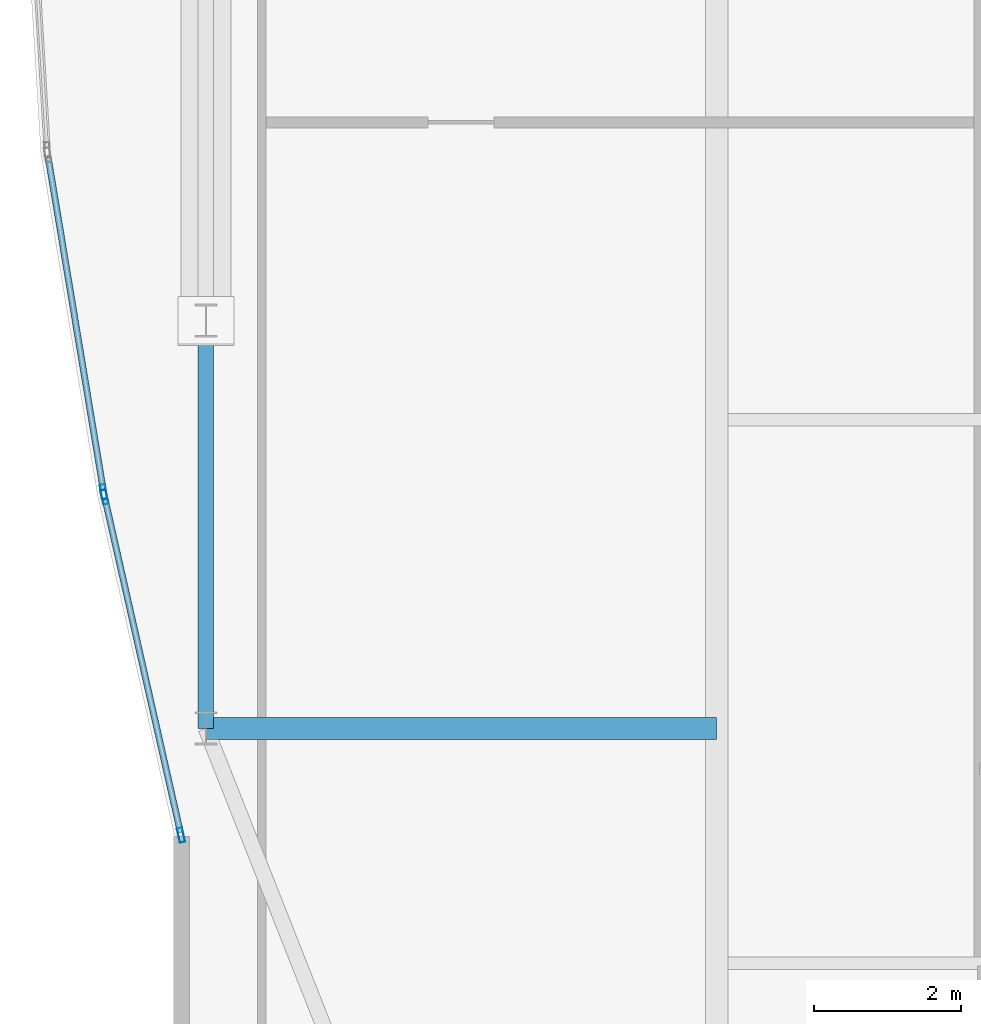
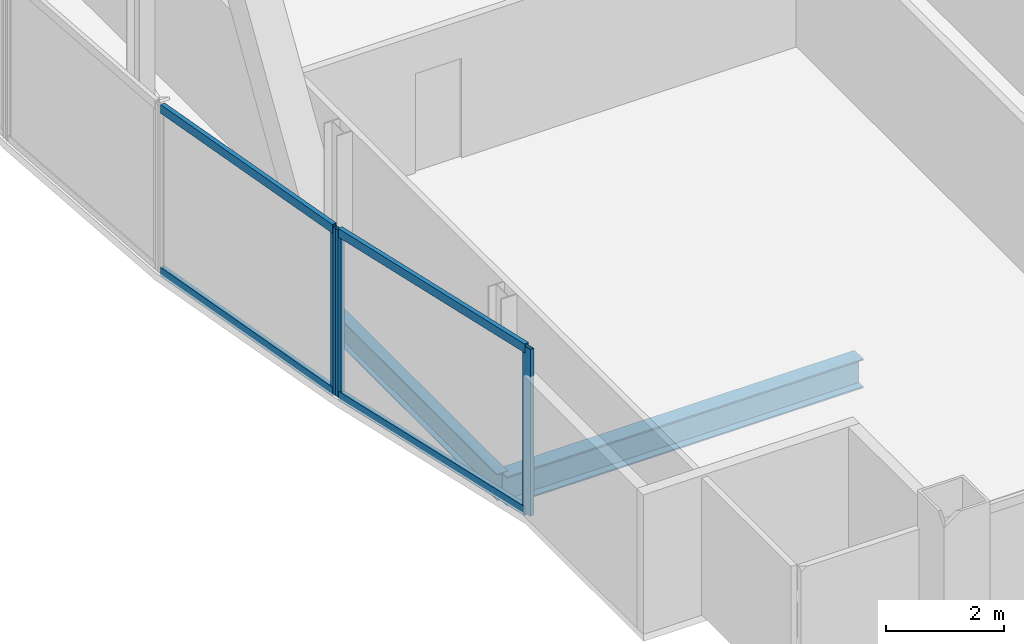
# One storey, part 5 of 31: 7 members, 2 beams, 2 elements without a shape of their own.
"""IFC4 building model written with IfcOpenShell, lengths in metres."""

from ifc_helpers import new_model, si_unit, direction, frame, origin, origin_2d, place, context, subcontext, project, spatial, hollow_rectangle, i_section, extrude, material, material_profile, profile_set, type_object, element, aggregate, save


model = new_model("IFC4")

# Units and contexts
model_context = context("Model", 3, precision=1e-05, world=origin(), true_north=direction((0.0, 1.0)))
body_context = subcontext(model_context, "Body", "Model", "MODEL_VIEW")
ifc_project = project(units=[si_unit("LENGTHUNIT", "METRE"), si_unit("AREAUNIT", "SQUARE_METRE"), si_unit("VOLUMEUNIT", "CUBIC_METRE"), si_unit("PLANEANGLEUNIT", "RADIAN"), si_unit("MASSUNIT", "GRAM", prefix="KILO")], contexts=[model_context])

# Site, building, storey
site_placement = place(None, origin())
site = spatial("IfcSite", under=ifc_project, at=site_placement, CompositionType="ELEMENT")
building_placement = place(site_placement, origin())
building = spatial("IfcBuilding", under=site, at=building_placement, Name="Khoronbel Lancet Exchange", CompositionType="ELEMENT")
storey_placement = place(building_placement, frame((0.0, 0.0, 325.39990234375)))
storey = spatial("IfcBuildingStorey", under=building, at=storey_placement, Name="L84", CompositionType="ELEMENT", Elevation=325.39990234375)

# Beams
ifc_material_1 = material(Name="Steel S355", Category="steel")
ifc_material_profile_1 = material_profile(ifc_material_1, i_section(OverallWidth=0.300048828125, OverallDepth=0.60009765625, WebThickness=0.015380859375, FlangeThickness=0.030029296875, at=origin_2d()), Name="HEB 600")
ifc_profile_set_1 = profile_set([ifc_material_profile_1], Name="Steel S355")
beam_type_1 = type_object("IfcBeamType", Name="BM-BG5", PredefinedType="BEAM", material=ifc_profile_set_1)
beam_1_placement = place(storey_placement, frame((11.27001953125, 19.199951171875, -0.4599609375), z_axis=(1.0, 0.0, 0.0), x_axis=(0.0, 1.0, 0.0)))
element("IfcBeam", 1, at=beam_1_placement, inside=storey, type_object=beam_type_1, Name="Level L84 west lens tie girder LG1W", PredefinedType="BEAM", context=body_context, shape_type="SweptSolid", body=[
    extrude(i_section(OverallWidth=0.300048828125, OverallDepth=0.60009765625, WebThickness=0.015380859375, FlangeThickness=0.030029296875, at=origin_2d()), origin(), (0.0, 0.0, 1.0), 6.955078125),
])
ifc_material_profile_2 = material_profile(ifc_material_1, i_section(OverallWidth=0.2099609375, OverallDepth=0.550048828125, WebThickness=0.010986328125, FlangeThickness=0.01708984375, at=origin_2d()), Name="IPE 550")
ifc_profile_set_2 = profile_set([ifc_material_profile_2], Name="Steel S355")
beam_type_2 = type_object("IfcBeamType", Name="BM-BSP3", PredefinedType="SPANDREL", material=ifc_profile_set_2)
beam_2_placement = place(storey_placement, frame((11.27001953125, 24.75, -0.434814453125), z_axis=(0.0, -1.0, 0.0), x_axis=(1.0, 0.0, 0.0)))
element("IfcBeam", 2, at=beam_2_placement, inside=storey, type_object=beam_type_2, Name="Level L84 perimeter spandrel beam SP18", PredefinedType="SPANDREL", context=body_context, shape_type="SweptSolid", body=[
    extrude(i_section(OverallWidth=0.2099609375, OverallDepth=0.550048828125, WebThickness=0.010986328125, FlangeThickness=0.01708984375, at=origin_2d()), origin(), (0.0, 0.0, 1.0), 5.550048828125),
])

# Curtain wall, members
ifc_material_2 = material(Name="Low-E Solar Control Insulating Glass", Category="glass")
curtain_wall_type = type_object("IfcCurtainWallType", Name="CW-4", PredefinedType="NOTDEFINED", material=ifc_material_2)
curtain_wall_1_placement = place(storey_placement, origin())
curtain_wall_1 = element("IfcCurtainWall", 3, at=curtain_wall_1_placement, inside=storey, type_object=curtain_wall_type, Name="Unitised curtain wall CW-L84-E04", PredefinedType="NOTDEFINED")
ifc_material_3 = material(Name="Bronze-Anodised Aluminium 6063-T6", Category="aluminium")
ifc_material_profile_3 = material_profile(ifc_material_3, hollow_rectangle(XDim=0.074951171875, YDim=0.199951171875, WallThickness=0.0048828125, at=origin_2d()), Name="ALU MULLION 75x200")
ifc_profile_set_3 = profile_set([ifc_material_profile_3], Name="Bronze-Anodised Aluminium 6063-T6")
member_type_1 = type_object("IfcMemberType", Name="MEM-CWM2", PredefinedType="MULLION", material=ifc_profile_set_3)
member_1_placement = place(storey_placement, frame((10.931640625, 17.74658203125, 0.0), z_axis=(0.0, 0.0, 1.0), x_axis=(-0.975369067716, -0.220579196078, 0.0)))
member_1 = element("IfcMember", 4, at=member_1_placement, type_object=member_type_1, Name="CW4 mullion 1", PredefinedType="MULLION", context=body_context, shape_type="SweptSolid", body=[
    extrude(hollow_rectangle(XDim=0.074951171875, YDim=0.199951171875, WallThickness=0.0048828125, at=origin_2d()), origin(), (0.0, 0.0, 1.0), 3.440185546875),
])
member_2_placement = place(storey_placement, frame((9.891357421875, 22.347412109375, 0.0), z_axis=(0.0, 0.0, 1.0), x_axis=(-0.975369067716, -0.220579196078, 0.0)))
member_2 = element("IfcMember", 5, at=member_2_placement, type_object=member_type_1, Name="CW4 mullion 2", PredefinedType="MULLION", context=body_context, shape_type="SweptSolid", body=[
    extrude(hollow_rectangle(XDim=0.074951171875, YDim=0.199951171875, WallThickness=0.0048828125, at=origin_2d()), origin(), (0.0, 0.0, 1.0), 3.440185546875),
])

# Curtain wall, member
curtain_wall_2_placement = place(storey_placement, origin())
curtain_wall_2 = element("IfcCurtainWall", 6, at=curtain_wall_2_placement, inside=storey, type_object=curtain_wall_type, Name="Unitised curtain wall CW-L84-E05", PredefinedType="NOTDEFINED")
member_3_placement = place(storey_placement, frame((9.876953125, 22.4208984375, 0.0), z_axis=(0.0, 0.0, 1.0), x_axis=(-0.98657075141, -0.163334480321, 0.0)))
member_3 = element("IfcMember", 7, at=member_3_placement, type_object=member_type_1, Name="CW4 mullion 1", PredefinedType="MULLION", context=body_context, shape_type="SweptSolid", body=[
    extrude(hollow_rectangle(XDim=0.074951171875, YDim=0.199951171875, WallThickness=0.0048828125, at=origin_2d()), origin(), (0.0, 0.0, 1.0), 3.440185546875),
])

# Member
ifc_material_profile_4 = material_profile(ifc_material_3, hollow_rectangle(XDim=0.0849609375, YDim=0.179931640625, WallThickness=0.0048828125, at=origin_2d()), Name="ALU TRANSOM 85x180")
ifc_profile_set_4 = profile_set([ifc_material_profile_4], Name="Bronze-Anodised Aluminium 6063-T6")
member_type_2 = type_object("IfcMemberType", Name="MEM-CWT1", PredefinedType="USERDEFINED", material=ifc_profile_set_4)
member_4_placement = place(storey_placement, frame((10.92333984375, 17.783203125, 0.04248046875), z_axis=(-0.220532067169, 0.975379724697, 0.0), x_axis=(-0.975379724697, -0.220532067169, 0.0)))
member_4 = element("IfcMember", 8, at=member_4_placement, type_object=member_type_2, Name="CW4 transom 1.1", ObjectType="TRANSOM", PredefinedType="USERDEFINED", context=body_context, shape_type="SweptSolid", body=[
    extrude(hollow_rectangle(XDim=0.0849609375, YDim=0.179931640625, WallThickness=0.0048828125, at=origin_2d()), origin(), (0.0, 0.0, 1.0), 4.641845703125),
])

member_5_placement = place(storey_placement, frame((10.92333984375, 17.783203125, 3.397705078125), z_axis=(-0.220532067169, 0.975379724697, 0.0), x_axis=(-0.975379724697, -0.220532067169, 0.0)))
member_5 = element("IfcMember", 9, at=member_5_placement, type_object=member_type_2, Name="CW4 transom 1.2", ObjectType="TRANSOM", PredefinedType="USERDEFINED", context=body_context, shape_type="SweptSolid", body=[
    extrude(hollow_rectangle(XDim=0.0849609375, YDim=0.179931640625, WallThickness=0.0048828125, at=origin_2d()), origin(), (0.0, 0.0, 1.0), 4.641845703125),
])

aggregate(curtain_wall_1, [member_1, member_2, member_4, member_5])

member_6_placement = place(storey_placement, frame((9.870849609375, 22.4580078125, 0.04248046875), z_axis=(-0.163368644918, 0.986565094587, 0.0), x_axis=(-0.986565094587, -0.163368644918, 0.0)))
member_6 = element("IfcMember", 10, at=member_6_placement, type_object=member_type_2, Name="CW4 transom 1.1", ObjectType="TRANSOM", PredefinedType="USERDEFINED", context=body_context, shape_type="SweptSolid", body=[
    extrude(hollow_rectangle(XDim=0.0849609375, YDim=0.179931640625, WallThickness=0.0048828125, at=origin_2d()), origin(), (0.0, 0.0, 1.0), 4.572998046875),
])

member_7_placement = place(storey_placement, frame((9.870849609375, 22.4580078125, 3.397705078125), z_axis=(-0.163368644918, 0.986565094587, 0.0), x_axis=(-0.986565094587, -0.163368644918, 0.0)))
member_7 = element("IfcMember", 11, at=member_7_placement, type_object=member_type_2, Name="CW4 transom 1.2", ObjectType="TRANSOM", PredefinedType="USERDEFINED", context=body_context, shape_type="SweptSolid", body=[
    extrude(hollow_rectangle(XDim=0.0849609375, YDim=0.179931640625, WallThickness=0.0048828125, at=origin_2d()), origin(), (0.0, 0.0, 1.0), 4.572998046875),
])

aggregate(curtain_wall_2, [member_3, member_6, member_7])

save(model, "model.ifc")
